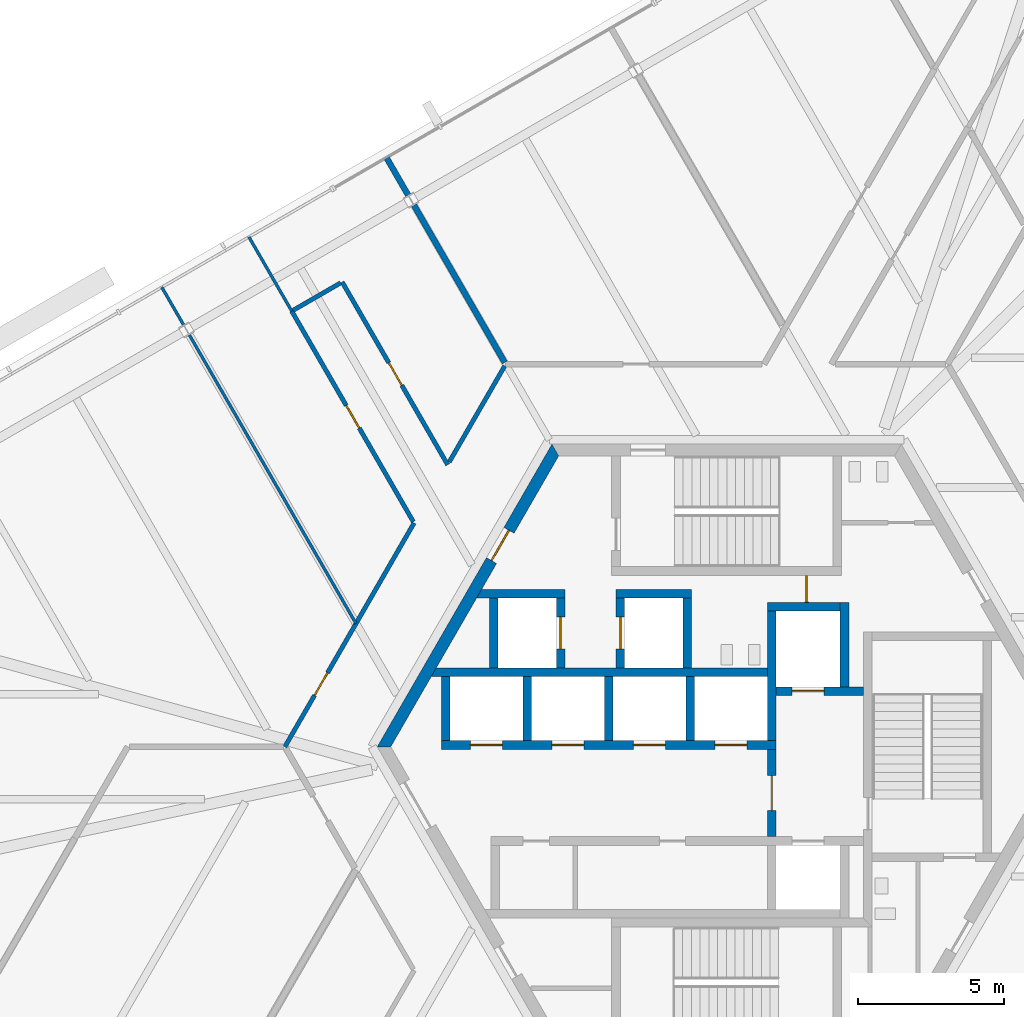
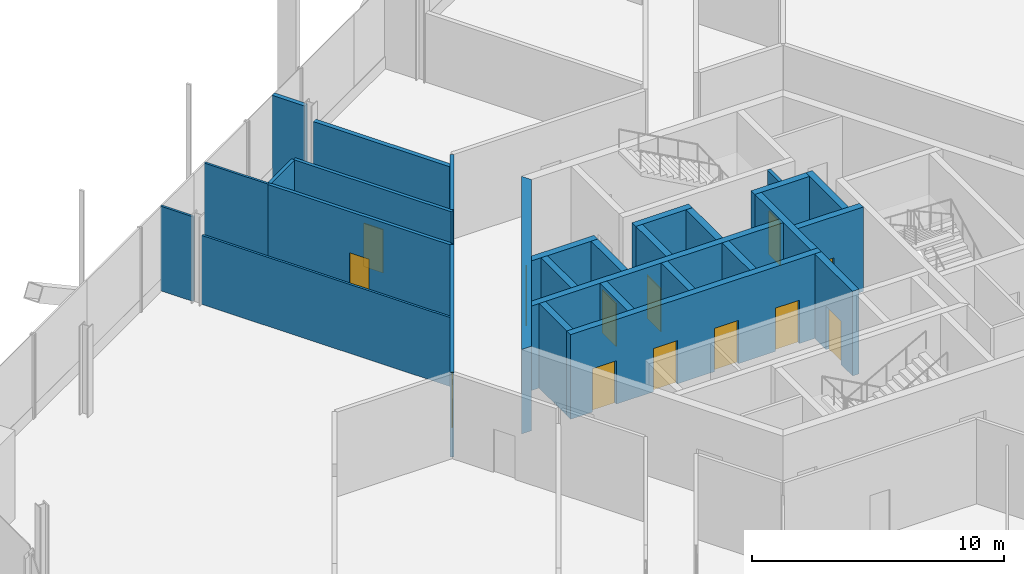
# One storey, part 12 of 19: 29 walls, 13 doors, 13 openings.
"""IFC4 building model written with IfcOpenShell, lengths in metres."""

from ifc_helpers import new_model, si_unit, direction, frame, frame_2d, origin, place, context, subcontext, project, spatial, polyline, rectangle, outline, extrude, source, transform, mapped, material, layer, layer_set, type_object, element, fill, save


model = new_model("IFC4")

# Units and contexts
model_context = context("Model", 3, precision=1e-05, world=origin(), true_north=direction((0.0, 1.0)))
body_context = subcontext(model_context, "Body", "Model", "MODEL_VIEW")
ifc_project = project(units=[si_unit("LENGTHUNIT", "METRE"), si_unit("AREAUNIT", "SQUARE_METRE"), si_unit("VOLUMEUNIT", "CUBIC_METRE"), si_unit("PLANEANGLEUNIT", "RADIAN"), si_unit("MASSUNIT", "GRAM", prefix="KILO")], contexts=[model_context])

# Site, building, storey
site_placement = place(None, origin())
site = spatial("IfcSite", under=ifc_project, at=site_placement, CompositionType="ELEMENT")
building_placement = place(site_placement, origin())
building = spatial("IfcBuilding", under=site, at=building_placement, Name="Triune Harvest Tower", CompositionType="ELEMENT")
storey_placement = place(building_placement, frame((0.0, 0.0, 41.800048828125)))
storey = spatial("IfcBuildingStorey", under=building, at=storey_placement, Name="L09", CompositionType="ELEMENT", Elevation=41.800048828125)

# Wall, opening, door
ifc_material_1 = material(Name="Gypsum board on steel studs", Category="steel")
ifc_layer_1 = layer(ifc_material_1, 0.14990234375)
ifc_layer_set_1 = layer_set([ifc_layer_1], Name="Gypsum board on steel studs")
wall_type_1 = type_object("IfcWallType", Name="Fire Partition 150 mm", PredefinedType="PARTITIONING", material=ifc_layer_set_1)
wall_1_placement = place(storey_placement, frame((-14.938720703125, 14.965087890625, 0.0), z_axis=(0.0, 0.0, 1.0), x_axis=(0.499977133552, -0.866038605332, 0.0)))
wall_1 = element("IfcWall", 1, at=wall_1_placement, inside=storey, type_object=wall_type_1, Name="Partition L09 007", PredefinedType="PARTITIONING", context=body_context, shape_type="SweptSolid", body=[
    extrude(rectangle(XDim=8.353515625, YDim=0.14990234375, at=frame_2d((4.1767578125, 0.0))), origin(), (0.0, 0.0, 1.0), 4.099853515625),
])
opening_1_placement = place(wall_1_placement, frame((3.739990234375, 0.0, 0.0)))
opening_1 = element("IfcOpeningElement", 2, at=opening_1_placement, cuts=wall_1, Name="Opening L09-010", PredefinedType="OPENING", context=body_context, shape_type="SweptSolid", body=[
    extrude(rectangle(XDim=0.89990234375, YDim=2.10009765625, at=frame_2d((0.449951171875, 1.050048828125))), frame((0.0, 0.0849609375, 0.0), z_axis=(0.0, -1.0, 0.0), x_axis=(1.0, 0.0, 0.0)), (0.0, 0.0, 1.0), 0.169921875),
])
ifc_material_2 = material(Name="Timber and steel door set", Category="steel")
door_type_1 = type_object("IfcDoorType", Name="Single leaf door FD30 right hand 900 x 2100", OperationType="SINGLE_SWING_RIGHT", PredefinedType="DOOR", material=ifc_material_2)
door_1_placement = place(opening_1_placement, origin())
door_1 = element("IfcDoor", 3, at=door_1_placement, inside=storey, type_object=door_type_1, Name="Door L09-010 Packing Room 09.10", OperationType="SINGLE_SWING_RIGHT", OverallHeight=2.10009765625, OverallWidth=0.89990234375, PredefinedType="DOOR", context=body_context, shape_type="SweptSolid", body=[
    extrude(rectangle(XDim=0.89990234375, YDim=2.10009765625, at=frame_2d((0.449951171875, 1.050048828125))), frame((0.0, 0.02490234375, 0.0), z_axis=(0.0, -1.0, 0.0), x_axis=(1.0, 0.0, 0.0)), (0.0, 0.0, 1.0), 0.050048828125),
])
fill(opening_1, door_1)

wall_2_placement = place(storey_placement, frame((-15.17529296875, 0.0, 0.0), z_axis=(0.0, 0.0, 1.0), x_axis=(0.499999423938, 0.866025736374, 0.0)))
wall_2 = element("IfcWall", 4, at=wall_2_placement, inside=storey, type_object=wall_type_1, Name="Partition L09 059", PredefinedType="PARTITIONING", context=body_context, shape_type="SweptSolid", body=[
    extrude(rectangle(XDim=8.87646484375, YDim=0.14990234375, at=frame_2d((4.438232421875, 0.0))), origin(), (0.0, 0.0, 1.0), 4.099853515625),
])
opening_2_placement = place(wall_2_placement, frame((2.037109375, 0.0, 0.0)))
opening_2 = element("IfcOpeningElement", 5, at=opening_2_placement, cuts=wall_2, Name="Opening L09-012", PredefinedType="OPENING", context=body_context, shape_type="SweptSolid", body=[
    extrude(rectangle(XDim=0.89990234375, YDim=2.10009765625, at=frame_2d((0.449951171875, 1.050048828125))), frame((0.0, 0.0849609375, 0.0), z_axis=(0.0, -1.0, 0.0), x_axis=(1.0, 0.0, 0.0)), (0.0, 0.0, 1.0), 0.169921875),
])
ifc_material_3 = material(Name="Timber and steel door set", Category="steel")
door_type_2 = type_object("IfcDoorType", Name="Single leaf door FD30 left hand 900 x 2100", OperationType="SINGLE_SWING_LEFT", PredefinedType="DOOR", material=ifc_material_3)
door_2_placement = place(opening_2_placement, origin())
door_2 = element("IfcDoor", 6, at=door_2_placement, inside=storey, type_object=door_type_2, Name="Door L09-012 Cold Store 09.12", OperationType="SINGLE_SWING_LEFT", OverallHeight=2.10009765625, OverallWidth=0.89990234375, PredefinedType="DOOR", context=body_context, shape_type="SweptSolid", body=[
    extrude(rectangle(XDim=0.89990234375, YDim=2.10009765625, at=frame_2d((0.449951171875, 1.050048828125))), frame((0.0, 0.02490234375, 0.0), z_axis=(0.0, -1.0, 0.0), x_axis=(1.0, 0.0, 0.0)), (0.0, 0.0, 1.0), 0.050048828125),
])
fill(opening_2, door_2)

# Walls
wall_3_placement = place(storey_placement, frame((-9.52734375, 9.78271484375, 0.0), z_axis=(0.0, 0.0, 1.0), x_axis=(0.50001277644, 0.866018027177, 0.0)))
element("IfcWall", 7, at=wall_3_placement, inside=storey, type_object=wall_type_1, Name="Partition L09 060", PredefinedType="PARTITIONING", context=body_context, shape_type="SweptSolid", body=[
    extrude(rectangle(XDim=3.8095703125, YDim=0.14990234375, at=frame_2d((1.90478515625, 0.0))), origin(), (0.0, 0.0, 1.0), 4.099853515625),
])
ifc_material_4 = material(Name="Gypsum board on steel studs", Category="steel")
ifc_layer_2 = layer(ifc_material_4, 0.10009765625)
ifc_layer_set_2 = layer_set([ifc_layer_2], Name="Gypsum board on steel studs")
wall_type_2 = type_object("IfcWallType", Name="Partition 100 mm", PredefinedType="PARTITIONING", material=ifc_layer_set_2)
wall_4_placement = place(storey_placement, frame((-16.40966796875, 17.5126953125, 0.0), z_axis=(0.0, 0.0, 1.0), x_axis=(0.500041054325, -0.866001699761, 0.0)))
element("IfcWall", 8, at=wall_4_placement, inside=storey, type_object=wall_type_2, Name="Partition L09 006", PredefinedType="PARTITIONING", context=body_context, shape_type="SweptSolid", body=[
    extrude(rectangle(XDim=2.940673828125, YDim=0.10009765625, at=frame_2d((1.47021484375, 0.0))), origin(), (0.0, 0.0, 1.0), 4.099853515625),
])

# Wall, opening, door
ifc_material_5 = material(Name="Concrete 70 MPa", Category="concrete")
ifc_layer_3 = layer(ifc_material_5, 0.39990234375)
ifc_layer_set_3 = layer_set([ifc_layer_3], Name="Concrete 70 MPa")
wall_type_3 = type_object("IfcWallType", Name="Core wall 400", PredefinedType="SHEAR", material=ifc_layer_set_3)
shared_shape_1 = source(origin(), body_context, "Body", "SweptSolid", [
    extrude(outline(polyline([(-0.115478515625, -0.199951171875), (11.884521484375, -0.199951171875), (11.653564453125, 0.199951171875), (0.115478515625, 0.199951171875), (-0.115478515625, -0.199951171875)])), origin(), (0.0, 0.0, 1.0), 4.099853515625),
])
wall_5_placement = place(storey_placement, frame((-5.884521484375, 10.1923828125, 0.0), z_axis=(0.0, 0.0, 1.0), x_axis=(-0.499996592174, -0.866027371285, 0.0)))
wall_5 = element("IfcWall", 9, at=wall_5_placement, inside=storey, type_object=wall_type_3, Name="Hexagon 2 wall", PredefinedType="SHEAR", context=body_context, shape_type="MappedRepresentation", body=[
    mapped(shared_shape_1, transform((0.0, 0.0, 0.0), scale=1.0)),
])
opening_3_placement = place(wall_5_placement, frame((3.1845703125, 0.0, 0.0)))
opening_3 = element("IfcOpeningElement", 10, at=opening_3_placement, cuts=wall_5, Name="Opening CD-SVP", PredefinedType="OPENING", context=body_context, shape_type="SweptSolid", body=[
    extrude(rectangle(XDim=1.199951171875, YDim=2.10009765625, at=frame_2d((0.60009765625, 1.050048828125))), frame((0.0, 0.2099609375, 0.0), z_axis=(0.0, -1.0, 0.0), x_axis=(1.0, 0.0, 0.0)), (0.0, 0.0, 1.0), 0.419921875),
])
ifc_material_6 = material(Name="Steel S235", Category="steel")
door_type_3 = type_object("IfcDoorType", Name="Service door 1200 FD120", OperationType="SINGLE_SWING_LEFT", PredefinedType="DOOR", material=ifc_material_6)
door_3_placement = place(opening_3_placement, frame((1.199951171875, 0.0, 0.0), z_axis=(0.0, 0.0, 1.0), x_axis=(-1.0, 0.0, 0.0)))
door_3 = element("IfcDoor", 11, at=door_3_placement, inside=storey, type_object=door_type_3, Name="Door CD-SVP", OperationType="SINGLE_SWING_RIGHT", OverallHeight=2.10009765625, OverallWidth=1.199951171875, PredefinedType="DOOR", context=body_context, shape_type="SweptSolid", body=[
    extrude(rectangle(XDim=1.199951171875, YDim=2.10009765625, at=frame_2d((0.60009765625, 1.050048828125))), frame((0.0, 0.02490234375, 0.0), z_axis=(0.0, -1.0, 0.0), x_axis=(1.0, 0.0, 0.0)), (0.0, 0.0, 1.0), 0.050048828125),
])
fill(opening_3, door_3)

# Wall, openings, doors
ifc_material_7 = material(Name="Concrete 70 MPa", Category="concrete")
ifc_layer_4 = layer(ifc_material_7, 0.300048828125)
ifc_layer_set_4 = layer_set([ifc_layer_4], Name="Concrete 70 MPa")
wall_type_4 = type_object("IfcWallType", Name="Core wall 300", PredefinedType="SHEAR", material=ifc_layer_set_4)
shared_shape_2 = source(origin(), body_context, "Body", "SweptSolid", [
    extrude(rectangle(XDim=11.5, YDim=0.300048828125, at=frame_2d((5.75, 0.0))), origin(), (0.0, 0.0, 1.0), 4.099853515625),
])
wall_6_placement = place(storey_placement, frame((-9.800048828125, 0.06005859375, 0.0), z_axis=(0.0, 0.0, 1.0), x_axis=(1.0, 0.0, 0.0)))
wall_6 = element("IfcWall", 12, at=wall_6_placement, inside=storey, type_object=wall_type_4, Name="North front wall", PredefinedType="SHEAR", context=body_context, shape_type="MappedRepresentation", body=[
    mapped(shared_shape_2, transform((0.0, 0.0, 0.0), scale=1.0)),
])
opening_4_placement = place(wall_6_placement, frame((1.0, 0.0, 0.0)))
opening_4 = element("IfcOpeningElement", 13, at=opening_4_placement, cuts=wall_6, Name="Opening LD-LR1-09", PredefinedType="OPENING", context=body_context, shape_type="SweptSolid", body=[
    extrude(rectangle(XDim=1.10009765625, YDim=2.10009765625, at=frame_2d((0.550048828125, 1.050048828125))), frame((0.0, 0.16015625, 0.0), z_axis=(0.0, -1.0, 0.0), x_axis=(1.0, 0.0, 0.0)), (0.0, 0.0, 1.0), 0.320068359375),
])
opening_5_placement = place(wall_6_placement, frame((3.800048828125, 0.0, 0.0)))
opening_5 = element("IfcOpeningElement", 14, at=opening_5_placement, cuts=wall_6, Name="Opening LD-LR2-09", PredefinedType="OPENING", context=body_context, shape_type="SweptSolid", body=[
    extrude(rectangle(XDim=1.10009765625, YDim=2.10009765625, at=frame_2d((0.550048828125, 1.050048828125))), frame((0.0, 0.16015625, 0.0), z_axis=(0.0, -1.0, 0.0), x_axis=(1.0, 0.0, 0.0)), (0.0, 0.0, 1.0), 0.320068359375),
])
opening_6_placement = place(wall_6_placement, frame((6.60009765625, 0.0, 0.0)))
opening_6 = element("IfcOpeningElement", 15, at=opening_6_placement, cuts=wall_6, Name="Opening LD-LR3-09", PredefinedType="OPENING", context=body_context, shape_type="SweptSolid", body=[
    extrude(rectangle(XDim=1.10009765625, YDim=2.10009765625, at=frame_2d((0.550048828125, 1.050048828125))), frame((0.0, 0.16015625, 0.0), z_axis=(0.0, -1.0, 0.0), x_axis=(1.0, 0.0, 0.0)), (0.0, 0.0, 1.0), 0.320068359375),
])
opening_7_placement = place(wall_6_placement, frame((9.39990234375, 0.0, 0.0)))
opening_7 = element("IfcOpeningElement", 16, at=opening_7_placement, cuts=wall_6, Name="Opening LD-LR4-09", PredefinedType="OPENING", context=body_context, shape_type="SweptSolid", body=[
    extrude(rectangle(XDim=1.10009765625, YDim=2.10009765625, at=frame_2d((0.550048828125, 1.050048828125))), frame((0.0, 0.16015625, 0.0), z_axis=(0.0, -1.0, 0.0), x_axis=(1.0, 0.0, 0.0)), (0.0, 0.0, 1.0), 0.320068359375),
])
ifc_material_8 = material(Name="Stainless steel AISI 304", Category="steel")
door_type_4 = type_object("IfcDoorType", Name="Landing door 1100 x 2100", OperationType="DOUBLE_DOOR_SLIDING", PredefinedType="DOOR", material=ifc_material_8)
door_4_placement = place(opening_4_placement, origin())
door_4 = element("IfcDoor", 17, at=door_4_placement, inside=storey, type_object=door_type_4, Name="Door LD-LR1-09", OperationType="DOUBLE_DOOR_SLIDING", OverallHeight=2.10009765625, OverallWidth=1.10009765625, PredefinedType="DOOR", context=body_context, shape_type="SweptSolid", body=[
    extrude(rectangle(XDim=1.10009765625, YDim=2.10009765625, at=frame_2d((0.550048828125, 1.050048828125))), frame((0.0, 0.02490234375, 0.0), z_axis=(0.0, -1.0, 0.0), x_axis=(1.0, 0.0, 0.0)), (0.0, 0.0, 1.0), 0.050048828125),
])
fill(opening_4, door_4)
door_5_placement = place(opening_5_placement, origin())
door_5 = element("IfcDoor", 18, at=door_5_placement, inside=storey, type_object=door_type_4, Name="Door LD-LR2-09", OperationType="DOUBLE_DOOR_SLIDING", OverallHeight=2.10009765625, OverallWidth=1.10009765625, PredefinedType="DOOR", context=body_context, shape_type="SweptSolid", body=[
    extrude(rectangle(XDim=1.10009765625, YDim=2.10009765625, at=frame_2d((0.550048828125, 1.050048828125))), frame((0.0, 0.02490234375, 0.0), z_axis=(0.0, -1.0, 0.0), x_axis=(1.0, 0.0, 0.0)), (0.0, 0.0, 1.0), 0.050048828125),
])
fill(opening_5, door_5)
door_6_placement = place(opening_6_placement, origin())
door_6 = element("IfcDoor", 19, at=door_6_placement, inside=storey, type_object=door_type_4, Name="Door LD-LR3-09", OperationType="DOUBLE_DOOR_SLIDING", OverallHeight=2.10009765625, OverallWidth=1.10009765625, PredefinedType="DOOR", context=body_context, shape_type="SweptSolid", body=[
    extrude(rectangle(XDim=1.10009765625, YDim=2.10009765625, at=frame_2d((0.550048828125, 1.050048828125))), frame((0.0, 0.02490234375, 0.0), z_axis=(0.0, -1.0, 0.0), x_axis=(1.0, 0.0, 0.0)), (0.0, 0.0, 1.0), 0.050048828125),
])
fill(opening_6, door_6)
door_7_placement = place(opening_7_placement, origin())
door_7 = element("IfcDoor", 20, at=door_7_placement, inside=storey, type_object=door_type_4, Name="Door LD-LR4-09", OperationType="DOUBLE_DOOR_SLIDING", OverallHeight=2.10009765625, OverallWidth=1.10009765625, PredefinedType="DOOR", context=body_context, shape_type="SweptSolid", body=[
    extrude(rectangle(XDim=1.10009765625, YDim=2.10009765625, at=frame_2d((0.550048828125, 1.050048828125))), frame((0.0, 0.02490234375, 0.0), z_axis=(0.0, -1.0, 0.0), x_axis=(1.0, 0.0, 0.0)), (0.0, 0.0, 1.0), 0.050048828125),
])
fill(opening_7, door_7)

# Walls
shared_shape_3 = source(origin(), body_context, "Body", "SweptSolid", [
    extrude(outline(polyline([(11.199951171875, -0.14990234375), (-0.34912109375, -0.14990234375), (-0.17578125, 0.14990234375), (11.199951171875, 0.14990234375), (11.199951171875, -0.14990234375)])), origin(), (0.0, 0.0, 1.0), 4.099853515625),
])
wall_7_placement = place(storey_placement, frame((-9.800048828125, 2.56005859375, 0.0), z_axis=(0.0, 0.0, 1.0), x_axis=(1.0, 0.0, 0.0)))
element("IfcWall", 21, at=wall_7_placement, inside=storey, type_object=wall_type_4, Name="North back wall", PredefinedType="SHEAR", context=body_context, shape_type="MappedRepresentation", body=[
    mapped(shared_shape_3, transform((0.0, 0.0, 0.0), scale=1.0)),
])
shared_shape_4 = source(origin(), body_context, "Body", "SweptSolid", [
    extrude(rectangle(XDim=2.5, YDim=0.300048828125, at=frame_2d((1.25, 0.0))), origin(), (0.0, 0.0, 1.0), 4.099853515625),
])
wall_8_placement = place(storey_placement, frame((1.39990234375, 4.81005859375, 0.0), z_axis=(0.0, 0.0, 1.0), x_axis=(1.0, 0.0, 0.0)))
element("IfcWall", 22, at=wall_8_placement, inside=storey, type_object=wall_type_4, Name="Ff1 back wall", PredefinedType="SHEAR", context=body_context, shape_type="MappedRepresentation", body=[
    mapped(shared_shape_4, transform((0.0, 0.0, 0.0), scale=1.0)),
])
shared_shape_5 = source(origin(), body_context, "Body", "SweptSolid", [
    extrude(rectangle(XDim=4.449951171875, YDim=0.300048828125, at=frame_2d((2.22509765625, 0.0))), origin(), (0.0, 0.0, 1.0), 4.099853515625),
])
wall_9_placement = place(storey_placement, frame((1.550048828125, 0.2099609375, 0.0), z_axis=(0.0, 0.0, 1.0), x_axis=(0.0, 1.0, 0.0)))
element("IfcWall", 23, at=wall_9_placement, inside=storey, type_object=wall_type_4, Name="Ff1 west wall", PredefinedType="SHEAR", context=body_context, shape_type="MappedRepresentation", body=[
    mapped(shared_shape_5, transform((0.0, 0.0, 0.0), scale=1.0)),
])

# Wall, opening, door
shared_shape_6 = source(origin(), body_context, "Body", "SweptSolid", [
    extrude(rectangle(XDim=3.0, YDim=0.300048828125, at=frame_2d((1.5, 0.0))), origin(), (0.0, 0.0, 1.0), 4.099853515625),
])
wall_10_placement = place(storey_placement, frame((1.699951171875, 1.909912109375, 0.0), z_axis=(0.0, 0.0, 1.0), x_axis=(1.0, 0.0, 0.0)))
wall_10 = element("IfcWall", 24, at=wall_10_placement, inside=storey, type_object=wall_type_4, Name="Ff1 front wall", PredefinedType="SHEAR", context=body_context, shape_type="MappedRepresentation", body=[
    mapped(shared_shape_6, transform((0.0, 0.0, 0.0), scale=1.0)),
])
opening_8_placement = place(wall_10_placement, frame((0.550048828125, 0.0, 0.0)))
opening_8 = element("IfcOpeningElement", 25, at=opening_8_placement, cuts=wall_10, Name="Opening LD-FF1-09", PredefinedType="OPENING", context=body_context, shape_type="SweptSolid", body=[
    extrude(rectangle(XDim=1.10009765625, YDim=2.10009765625, at=frame_2d((0.550048828125, 1.050048828125))), frame((0.0, 0.16015625, 0.0), z_axis=(0.0, -1.0, 0.0), x_axis=(1.0, 0.0, 0.0)), (0.0, 0.0, 1.0), 0.320068359375),
])
door_8_placement = place(opening_8_placement, origin())
door_8 = element("IfcDoor", 26, at=door_8_placement, inside=storey, type_object=door_type_4, Name="Door LD-FF1-09", OperationType="DOUBLE_DOOR_SLIDING", OverallHeight=2.10009765625, OverallWidth=1.10009765625, PredefinedType="DOOR", context=body_context, shape_type="SweptSolid", body=[
    extrude(rectangle(XDim=1.10009765625, YDim=2.10009765625, at=frame_2d((0.550048828125, 1.050048828125))), frame((0.0, 0.02490234375, 0.0), z_axis=(0.0, -1.0, 0.0), x_axis=(1.0, 0.0, 0.0)), (0.0, 0.0, 1.0), 0.050048828125),
])
fill(opening_8, door_8)

wall_11_placement = place(storey_placement, frame((1.550048828125, -3.090087890625, 0.0), z_axis=(0.0, 0.0, 1.0), x_axis=(0.0, 1.0, 0.0)))
wall_11 = element("IfcWall", 27, at=wall_11_placement, inside=storey, type_object=wall_type_4, Name="Ff lobby west wall", PredefinedType="SHEAR", context=body_context, shape_type="MappedRepresentation", body=[
    mapped(shared_shape_6, transform((0.0, 0.0, 0.0), scale=1.0)),
])
opening_9_placement = place(wall_11_placement, frame((0.89990234375, 0.0, 0.0)))
opening_9 = element("IfcOpeningElement", 28, at=opening_9_placement, cuts=wall_11, Name="Opening CD-FL", PredefinedType="OPENING", context=body_context, shape_type="SweptSolid", body=[
    extrude(rectangle(XDim=1.199951171875, YDim=2.10009765625, at=frame_2d((0.60009765625, 1.050048828125))), frame((0.0, 0.16015625, 0.0), z_axis=(0.0, -1.0, 0.0), x_axis=(1.0, 0.0, 0.0)), (0.0, 0.0, 1.0), 0.320068359375),
])
ifc_material_9 = material(Name="Steel S235", Category="steel")
door_type_5 = type_object("IfcDoorType", Name="Firefighters' lobby door 1200 FD120", OperationType="SINGLE_SWING_LEFT", PredefinedType="DOOR", material=ifc_material_9)
door_9_placement = place(opening_9_placement, frame((1.199951171875, 0.0, 0.0), z_axis=(0.0, 0.0, 1.0), x_axis=(-1.0, 0.0, 0.0)))
door_9 = element("IfcDoor", 29, at=door_9_placement, inside=storey, type_object=door_type_5, Name="Door CD-FL", OperationType="SINGLE_SWING_RIGHT", OverallHeight=2.10009765625, OverallWidth=1.199951171875, PredefinedType="DOOR", context=body_context, shape_type="SweptSolid", body=[
    extrude(rectangle(XDim=1.199951171875, YDim=2.10009765625, at=frame_2d((0.60009765625, 1.050048828125))), frame((0.0, 0.02490234375, 0.0), z_axis=(0.0, -1.0, 0.0), x_axis=(1.0, 0.0, 0.0)), (0.0, 0.0, 1.0), 0.050048828125),
])
fill(opening_9, door_9)

# Walls
shared_shape_7 = source(origin(), body_context, "Body", "SweptSolid", [
    extrude(rectangle(XDim=2.89990234375, YDim=0.300048828125, at=frame_2d((1.449951171875, 0.0))), origin(), (0.0, 0.0, 1.0), 4.099853515625),
])
wall_12_placement = place(storey_placement, frame((4.050048828125, 2.06005859375, 0.0), z_axis=(0.0, 0.0, 1.0), x_axis=(0.0, 1.0, 0.0)))
element("IfcWall", 30, at=wall_12_placement, inside=storey, type_object=wall_type_4, Name="Ff1 east wall", PredefinedType="SHEAR", context=body_context, shape_type="MappedRepresentation", body=[
    mapped(shared_shape_7, transform((0.0, 0.0, 0.0), scale=1.0)),
])
shared_shape_8 = source(origin(), body_context, "Body", "SweptSolid", [
    extrude(rectangle(XDim=2.199951171875, YDim=0.300048828125, at=frame_2d((1.10009765625, 0.0))), origin(), (0.0, 0.0, 1.0), 4.099853515625),
])
for number, where, z_axis, x_axis, name in (
    (31, (-9.64990234375, 0.2099609375, 0.0), (0.0, 0.0, 1.0), (0.0, 1.0, 0.0), "North end west wall"),
    (32, (-6.85009765625, 0.2099609375, 0.0), (0.0, 0.0, 1.0), (0.0, 1.0, 0.0), "North cross 1 wall"),
    (33, (-4.050048828125, 0.2099609375, 0.0), (0.0, 0.0, 1.0), (0.0, 1.0, 0.0), "North cross 2 wall"),
    (34, (-1.25, 0.2099609375, 0.0), (0.0, 0.0, 1.0), (0.0, 1.0, 0.0), "North cross 3 wall"),
):
    element("IfcWall", number, at=place(storey_placement, frame(where, z_axis=z_axis, x_axis=x_axis)), inside=storey, type_object=wall_type_4, Name=name, PredefinedType="SHEAR", context=body_context, shape_type="MappedRepresentation", body=[
        mapped(shared_shape_8, transform((0.0, 0.0, 0.0), scale=1.0)),
    ])
shared_shape_9 = source(origin(), body_context, "Body", "SweptSolid", [
    extrude(outline(polyline([(2.60009765625, -0.14990234375), (-0.440185546875, -0.14990234375), (-0.26708984375, 0.14990234375), (2.60009765625, 0.14990234375), (2.60009765625, -0.14990234375)])), origin(), (0.0, 0.0, 1.0), 4.099853515625),
])
wall_13_placement = place(storey_placement, frame((-8.14990234375, 5.260009765625, 0.0), z_axis=(0.0, 0.0, 1.0), x_axis=(1.0, 0.0, 0.0)))
element("IfcWall", 35, at=wall_13_placement, inside=storey, type_object=wall_type_4, Name="Sv1 north wall", PredefinedType="SHEAR", context=body_context, shape_type="MappedRepresentation", body=[
    mapped(shared_shape_9, transform((0.0, 0.0, 0.0), scale=1.0)),
])
shared_shape_10 = source(origin(), body_context, "Body", "SweptSolid", [
    extrude(rectangle(XDim=2.400146484375, YDim=0.300048828125, at=frame_2d((1.2001953125, 0.0))), origin(), (0.0, 0.0, 1.0), 4.099853515625),
])
wall_14_placement = place(storey_placement, frame((-8.0, 2.7099609375, 0.0), z_axis=(0.0, 0.0, 1.0), x_axis=(0.0, 1.0, 0.0)))
element("IfcWall", 36, at=wall_14_placement, inside=storey, type_object=wall_type_4, Name="Sv1 west wall", PredefinedType="SHEAR", context=body_context, shape_type="MappedRepresentation", body=[
    mapped(shared_shape_10, transform((0.0, 0.0, 0.0), scale=1.0)),
])

# Wall, opening, door
wall_15_placement = place(storey_placement, frame((-5.699951171875, 2.7099609375, 0.0), z_axis=(0.0, 0.0, 1.0), x_axis=(0.0, 1.0, 0.0)))
wall_15 = element("IfcWall", 37, at=wall_15_placement, inside=storey, type_object=wall_type_4, Name="Sv1 east wall", PredefinedType="SHEAR", context=body_context, shape_type="MappedRepresentation", body=[
    mapped(shared_shape_10, transform((0.0, 0.0, 0.0), scale=1.0)),
])
opening_10_placement = place(wall_15_placement, frame((0.64990234375, 0.0, 0.0)))
opening_10 = element("IfcOpeningElement", 38, at=opening_10_placement, cuts=wall_15, Name="Opening LD-SV1-09", PredefinedType="OPENING", context=body_context, shape_type="SweptSolid", body=[
    extrude(rectangle(XDim=1.10009765625, YDim=2.10009765625, at=frame_2d((0.550048828125, 1.050048828125))), frame((0.0, 0.16015625, 0.0), z_axis=(0.0, -1.0, 0.0), x_axis=(1.0, 0.0, 0.0)), (0.0, 0.0, 1.0), 0.320068359375),
])
door_10_placement = place(opening_10_placement, origin())
door_10 = element("IfcDoor", 39, at=door_10_placement, inside=storey, type_object=door_type_4, Name="Door LD-SV1-09", OperationType="DOUBLE_DOOR_SLIDING", OverallHeight=2.10009765625, OverallWidth=1.10009765625, PredefinedType="DOOR", context=body_context, shape_type="SweptSolid", body=[
    extrude(rectangle(XDim=1.10009765625, YDim=2.10009765625, at=frame_2d((0.550048828125, 1.050048828125))), frame((0.0, 0.02490234375, 0.0), z_axis=(0.0, -1.0, 0.0), x_axis=(1.0, 0.0, 0.0)), (0.0, 0.0, 1.0), 0.050048828125),
])
fill(opening_10, door_10)

wall_16_placement = place(storey_placement, frame((-3.64990234375, 2.7099609375, 0.0), z_axis=(0.0, 0.0, 1.0), x_axis=(0.0, 1.0, 0.0)))
wall_16 = element("IfcWall", 40, at=wall_16_placement, inside=storey, type_object=wall_type_4, Name="Sv2 west wall", PredefinedType="SHEAR", context=body_context, shape_type="MappedRepresentation", body=[
    mapped(shared_shape_10, transform((0.0, 0.0, 0.0), scale=1.0)),
])
opening_11_placement = place(wall_16_placement, frame((0.64990234375, 0.0, 0.0)))
opening_11 = element("IfcOpeningElement", 41, at=opening_11_placement, cuts=wall_16, Name="Opening LD-SV2-09", PredefinedType="OPENING", context=body_context, shape_type="SweptSolid", body=[
    extrude(rectangle(XDim=1.10009765625, YDim=2.10009765625, at=frame_2d((0.550048828125, 1.050048828125))), frame((0.0, 0.16015625, 0.0), z_axis=(0.0, -1.0, 0.0), x_axis=(1.0, 0.0, 0.0)), (0.0, 0.0, 1.0), 0.320068359375),
])
door_11_placement = place(opening_11_placement, origin())
door_11 = element("IfcDoor", 42, at=door_11_placement, inside=storey, type_object=door_type_4, Name="Door LD-SV2-09", OperationType="DOUBLE_DOOR_SLIDING", OverallHeight=2.10009765625, OverallWidth=1.10009765625, PredefinedType="DOOR", context=body_context, shape_type="SweptSolid", body=[
    extrude(rectangle(XDim=1.10009765625, YDim=2.10009765625, at=frame_2d((0.550048828125, 1.050048828125))), frame((0.0, 0.02490234375, 0.0), z_axis=(0.0, -1.0, 0.0), x_axis=(1.0, 0.0, 0.0)), (0.0, 0.0, 1.0), 0.050048828125),
])
fill(opening_11, door_11)

# Walls
wall_17_placement = place(storey_placement, frame((-1.35009765625, 2.7099609375, 0.0), z_axis=(0.0, 0.0, 1.0), x_axis=(0.0, 1.0, 0.0)))
element("IfcWall", 43, at=wall_17_placement, inside=storey, type_object=wall_type_4, Name="Sv2 east wall", PredefinedType="SHEAR", context=body_context, shape_type="MappedRepresentation", body=[
    mapped(shared_shape_10, transform((0.0, 0.0, 0.0), scale=1.0)),
])
shared_shape_11 = source(origin(), body_context, "Body", "SweptSolid", [
    extrude(rectangle(XDim=2.60009765625, YDim=0.300048828125, at=frame_2d((1.300048828125, 0.0))), origin(), (0.0, 0.0, 1.0), 4.099853515625),
])
wall_18_placement = place(storey_placement, frame((-3.800048828125, 5.260009765625, 0.0), z_axis=(0.0, 0.0, 1.0), x_axis=(1.0, 0.0, 0.0)))
element("IfcWall", 44, at=wall_18_placement, inside=storey, type_object=wall_type_4, Name="Sv2 north wall", PredefinedType="SHEAR", context=body_context, shape_type="MappedRepresentation", body=[
    mapped(shared_shape_11, transform((0.0, 0.0, 0.0), scale=1.0)),
])

# Wall, opening, door
ifc_material_10 = material(Name="Concrete masonry unit", Category="masonry")
ifc_layer_5 = layer(ifc_material_10, 0.14990234375)
ifc_layer_set_5 = layer_set([ifc_layer_5], Name="Concrete masonry unit")
wall_type_5 = type_object("IfcWallType", Name="Block partition 150 unrated", PredefinedType="PARTITIONING", material=ifc_layer_set_5)
shared_shape_12 = source(origin(), body_context, "Body", "SweptSolid", [
    extrude(rectangle(XDim=0.929931640625, YDim=0.14990234375, at=frame_2d((0.46484375, 0.0))), origin(), (0.0, 0.0, 1.0), 4.099853515625),
])
wall_19_placement = place(storey_placement, frame((2.75, 4.9599609375, 0.0), z_axis=(0.0, 0.0, 1.0), x_axis=(0.0, 1.0, 0.0)))
wall_19 = element("IfcWall", 45, at=wall_19_placement, inside=storey, type_object=wall_type_5, Name="Wc men east b wall", PredefinedType="PARTITIONING", context=body_context, shape_type="MappedRepresentation", body=[
    mapped(shared_shape_12, transform((0.0, 0.0, 0.0), scale=1.0)),
])
opening_12_placement = place(wall_19_placement, frame((0.014892578125, 0.0, 0.0)))
opening_12 = element("IfcOpeningElement", 46, at=opening_12_placement, cuts=wall_19, Name="Opening CD-WM", PredefinedType="OPENING", context=body_context, shape_type="SweptSolid", body=[
    extrude(rectangle(XDim=0.89990234375, YDim=2.10009765625, at=frame_2d((0.449951171875, 1.050048828125))), frame((0.0, 0.0849609375, 0.0), z_axis=(0.0, -1.0, 0.0), x_axis=(1.0, 0.0, 0.0)), (0.0, 0.0, 1.0), 0.169921875),
])
ifc_material_11 = material(Name="Timber C24", Category="wood")
door_type_6 = type_object("IfcDoorType", Name="WC door 900", OperationType="SINGLE_SWING_LEFT", PredefinedType="DOOR", material=ifc_material_11)
door_12_placement = place(opening_12_placement, origin())
door_12 = element("IfcDoor", 47, at=door_12_placement, inside=storey, type_object=door_type_6, Name="Door CD-WM", OperationType="SINGLE_SWING_LEFT", OverallHeight=2.10009765625, OverallWidth=0.89990234375, PredefinedType="DOOR", context=body_context, shape_type="SweptSolid", body=[
    extrude(rectangle(XDim=0.89990234375, YDim=2.10009765625, at=frame_2d((0.449951171875, 1.050048828125))), frame((0.0, 0.02490234375, 0.0), z_axis=(0.0, -1.0, 0.0), x_axis=(1.0, 0.0, 0.0)), (0.0, 0.0, 1.0), 0.050048828125),
])
fill(opening_12, door_12)

# Walls
ifc_material_12 = material(Name="Gypsum board on steel studs", Category="steel")
ifc_layer_6 = layer(ifc_material_12, 0.199951171875)
ifc_layer_set_6 = layer_set([ifc_layer_6], Name="Gypsum board on steel studs")
wall_type_6 = type_object("IfcWallType", Name="Fire Wall 200 mm", PredefinedType="PARTITIONING", material=ifc_layer_set_6)
shared_shape_13 = source(origin(), body_context, "Body", "SweptSolid", [
    extrude(rectangle(XDim=1.49853515625, YDim=0.199951171875, at=frame_2d((0.749267578125, 0.0))), origin(), (0.0, 0.0, 1.0), 4.099853515625),
])
wall_20_placement = place(storey_placement, frame((-11.685546875, 20.240234375, 0.0), z_axis=(0.0, 0.0, 1.0), x_axis=(0.499976292358, -0.866039090965, 0.0)))
element("IfcWall", 48, at=wall_20_placement, inside=storey, type_object=wall_type_6, Name="Partition L09 012", PredefinedType="PARTITIONING", context=body_context, shape_type="MappedRepresentation", body=[
    mapped(shared_shape_13, transform((0.0, 0.0, 0.0), scale=1.0)),
])
shared_shape_14 = source(origin(), body_context, "Body", "SweptSolid", [
    extrude(rectangle(XDim=1.49853515625, YDim=0.10009765625, at=frame_2d((0.749267578125, 0.0))), origin(), (0.0, 0.0, 1.0), 4.099853515625),
])
wall_21_placement = place(storey_placement, frame((-19.40185546875, 15.78515625, 0.0), z_axis=(0.0, 0.0, 1.0), x_axis=(0.499976292358, -0.866039090965, 0.0)))
element("IfcWall", 49, at=wall_21_placement, inside=storey, type_object=wall_type_2, Name="Partition L09 004", PredefinedType="PARTITIONING", context=body_context, shape_type="MappedRepresentation", body=[
    mapped(shared_shape_14, transform((0.0, 0.0, 0.0), scale=1.0)),
])
shared_shape_15 = source(origin(), body_context, "Body", "SweptSolid", [
    extrude(rectangle(XDim=11.454833984375, YDim=0.10009765625, at=frame_2d((5.7275390625, 0.0))), origin(), (0.0, 0.0, 1.0), 3.343017578125),
])
wall_22_placement = place(storey_placement, frame((-18.45947265625, 14.152587890625, 0.0), z_axis=(0.0, 0.0, 1.0), x_axis=(0.500008416231, -0.866020544617, 0.0)))
element("IfcWall", 50, at=wall_22_placement, inside=storey, type_object=wall_type_2, Name="Partition L09 005", PredefinedType="PARTITIONING", context=body_context, shape_type="MappedRepresentation", body=[
    mapped(shared_shape_15, transform((0.0, 0.0, 0.0), scale=1.0)),
])
shared_shape_16 = source(origin(), body_context, "Body", "SweptSolid", [
    extrude(rectangle(XDim=6.240966796875, YDim=0.199951171875, at=frame_2d((3.12060546875, 0.0))), origin(), (0.0, 0.0, 1.0), 3.48779296875),
])
wall_23_placement = place(storey_placement, frame((-10.7431640625, 18.607666015625, 0.0), z_axis=(0.0, 0.0, 1.0), x_axis=(0.499988843237, -0.866031845049, 0.0)))
element("IfcWall", 51, at=wall_23_placement, inside=storey, type_object=wall_type_6, Name="Partition L09 013", PredefinedType="PARTITIONING", context=body_context, shape_type="MappedRepresentation", body=[
    mapped(shared_shape_16, transform((0.0, 0.0, 0.0), scale=1.0)),
])

# Wall, opening, door
shared_shape_17 = source(origin(), body_context, "Body", "SweptSolid", [
    extrude(rectangle(XDim=7.248779296875, YDim=0.14990234375, at=frame_2d((3.62451171875, 0.0))), origin(), (0.0, 0.0, 1.0), 4.099853515625),
])
wall_24_placement = place(storey_placement, frame((-13.206787109375, 15.965087890625, 0.0), z_axis=(0.0, 0.0, 1.0), x_axis=(0.500014967241, -0.866016762271, 0.0)))
wall_24 = element("IfcWall", 52, at=wall_24_placement, inside=storey, type_object=wall_type_1, Name="Partition L09 009", PredefinedType="PARTITIONING", context=body_context, shape_type="MappedRepresentation", body=[
    mapped(shared_shape_17, transform((0.0, 0.0, 0.0), scale=1.0)),
])
opening_13_placement = place(wall_24_placement, frame((3.198974609375, 0.0, 0.0)))
opening_13 = element("IfcOpeningElement", 53, at=opening_13_placement, cuts=wall_24, Name="Opening L09-011", PredefinedType="OPENING", context=body_context, shape_type="SweptSolid", body=[
    extrude(rectangle(XDim=0.89990234375, YDim=2.10009765625, at=frame_2d((0.449951171875, 1.050048828125))), frame((0.0, 0.0849609375, 0.0), z_axis=(0.0, -1.0, 0.0), x_axis=(1.0, 0.0, 0.0)), (0.0, 0.0, 1.0), 0.169921875),
])
door_13_placement = place(opening_13_placement, origin())
door_13 = element("IfcDoor", 54, at=door_13_placement, inside=storey, type_object=door_type_1, Name="Door L09-011 Dry Store Room 09.11", OperationType="SINGLE_SWING_RIGHT", OverallHeight=2.10009765625, OverallWidth=0.89990234375, PredefinedType="DOOR", context=body_context, shape_type="SweptSolid", body=[
    extrude(rectangle(XDim=0.89990234375, YDim=2.10009765625, at=frame_2d((0.449951171875, 1.050048828125))), frame((0.0, 0.02490234375, 0.0), z_axis=(0.0, -1.0, 0.0), x_axis=(1.0, 0.0, 0.0)), (0.0, 0.0, 1.0), 0.050048828125),
])
fill(opening_13, door_13)

# Wall
shared_shape_18 = source(origin(), body_context, "Body", "SweptSolid", [
    extrude(rectangle(XDim=1.889892578125, YDim=0.14990234375, at=frame_2d((0.94482421875, 0.0))), origin(), (0.0, 0.0, 1.0), 4.099853515625),
])
wall_25_placement = place(storey_placement, frame((-14.8955078125, 14.99072265625, 0.0), z_axis=(0.0, 0.0, 1.0), x_axis=(0.866000578957, 0.500042995397, 0.0)))
element("IfcWall", 55, at=wall_25_placement, inside=storey, type_object=wall_type_1, Name="Partition L09 036", PredefinedType="PARTITIONING", context=body_context, shape_type="MappedRepresentation", body=[
    mapped(shared_shape_18, transform((0.0, 0.0, 0.0), scale=1.0)),
])

save(model, "model.ifc")
